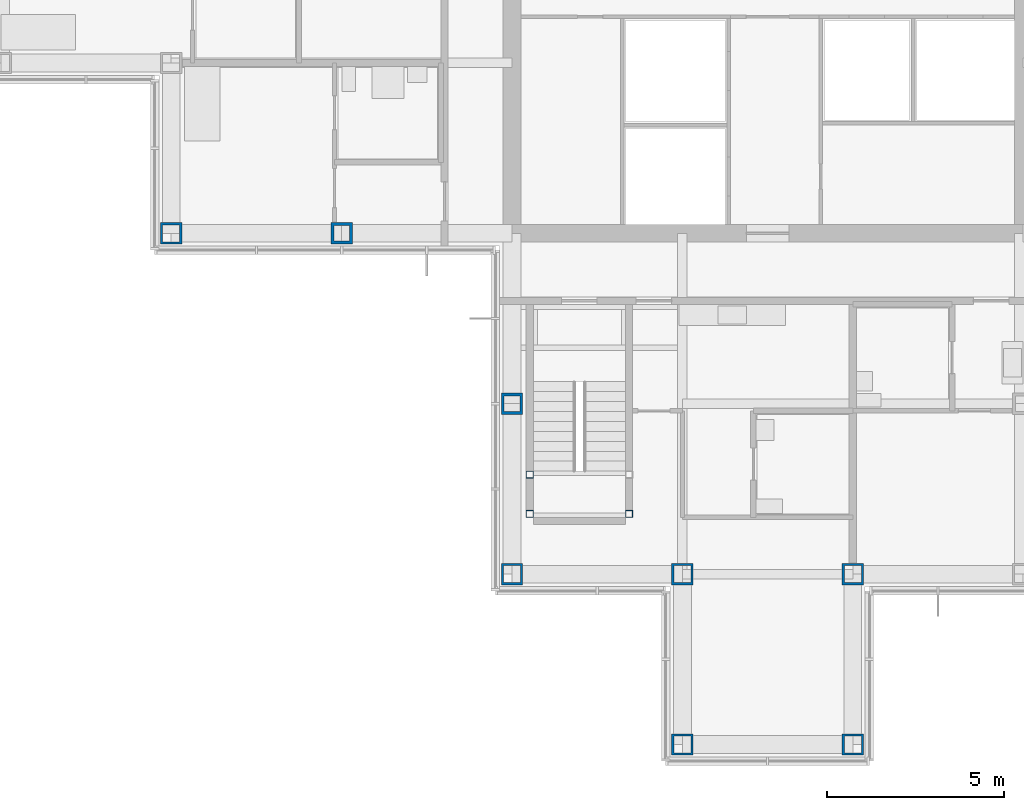
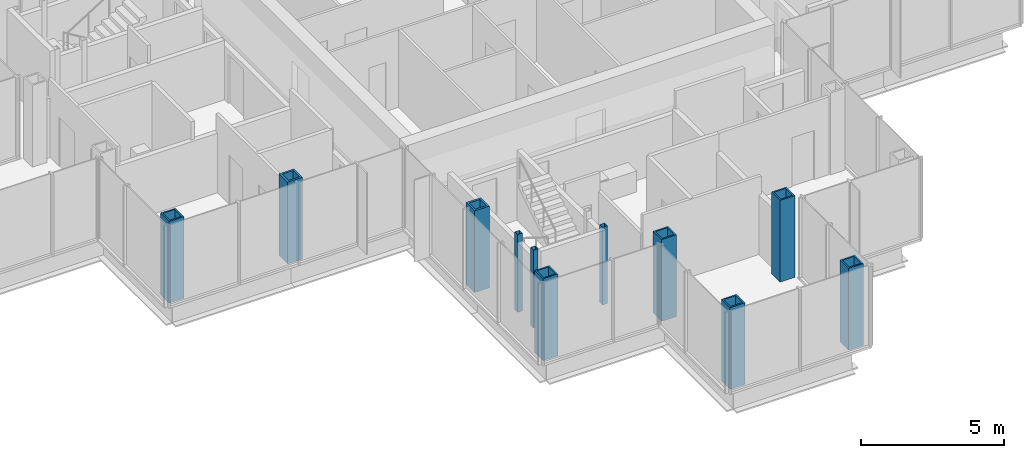
# One storey, part 1 of 17: 11 columns.
"""IFC4 building model written with IfcOpenShell, lengths in metres."""

from ifc_helpers import new_model, si_unit, direction, frame, origin, origin_2d, place, context, subcontext, project, spatial, hollow_rectangle, extrude, material, material_profile, profile_set, type_object, element, save


model = new_model("IFC4")

# Units and contexts
model_context = context("Model", 3, precision=1e-05, world=origin(), true_north=direction((0.0, 1.0)))
body_context = subcontext(model_context, "Body", "Model", "MODEL_VIEW")
ifc_project = project(units=[si_unit("LENGTHUNIT", "METRE"), si_unit("AREAUNIT", "SQUARE_METRE"), si_unit("VOLUMEUNIT", "CUBIC_METRE"), si_unit("PLANEANGLEUNIT", "RADIAN"), si_unit("MASSUNIT", "GRAM", prefix="KILO")], contexts=[model_context])

# Site, building, storey
site_placement = place(None, origin())
site = spatial("IfcSite", under=ifc_project, at=site_placement, CompositionType="ELEMENT")
building_placement = place(site_placement, origin())
building = spatial("IfcBuilding", under=site, at=building_placement, Name="Kvirike Care Tower", CompositionType="ELEMENT")
storey_placement = place(building_placement, frame((0.0, 0.0, 158.5)))
storey = spatial("IfcBuildingStorey", under=building, at=storey_placement, Name="L43", CompositionType="ELEMENT", Elevation=158.5)

# Columns
ifc_material_1 = material(Name="Steel S460", Category="steel")
ifc_material_profile_1 = material_profile(ifc_material_1, hollow_rectangle(XDim=0.60009765625, YDim=0.60009765625, WallThickness=0.06005859375, at=origin_2d()), Name="BX 600x600x60")
ifc_profile_set_1 = profile_set([ifc_material_profile_1], Name="Steel S460")
column_type_1 = type_object("IfcColumnType", Name="COLUMN BX 600x600x60", PredefinedType="COLUMN", material=ifc_profile_set_1)
for number, where, z_axis, x_axis, name in (
    (1, (4.800048828125, 28.800048828125, 0.0), (0.0, 0.0, 1.0), (0.0, 1.0, 0.0), "Column G4 L43"),
    (2, (14.39990234375, 19.199951171875, 0.0), (0.0, 0.0, 1.0), (0.0, 1.0, 0.0), "Column E6 L43"),
    (3, (19.199951171875, 14.39990234375, 0.0), (0.0, 0.0, 1.0), (0.0, 1.0, 0.0), "Column D7 L43"),
    (4, (19.199951171875, 19.199951171875, 0.0), (0.0, 0.0, 1.0), (0.0, 1.0, 0.0), "Column E7 L43"),
    (5, (24.0, 14.39990234375, 0.0), (0.0, 0.0, 1.0), (0.0, 1.0, 0.0), "Column D8 L43"),
    (6, (24.0, 19.199951171875, 0.0), (0.0, 0.0, 1.0), (0.0, 1.0, 0.0), "Column E8 L43"),
):
    element("IfcColumn", number, at=place(storey_placement, frame(where, z_axis=z_axis, x_axis=x_axis)), inside=storey, type_object=column_type_1, Name=name, PredefinedType="COLUMN", context=body_context, shape_type="SweptSolid", body=[
        extrude(hollow_rectangle(XDim=0.60009765625, YDim=0.60009765625, WallThickness=0.06005859375, at=origin_2d()), origin(), (0.0, 0.0, 1.0), 3.5),
    ])
ifc_material_2 = material(Name="Steel S460", Category="steel")
ifc_material_profile_2 = material_profile(ifc_material_2, hollow_rectangle(XDim=0.60009765625, YDim=0.60009765625, WallThickness=0.080078125, at=origin_2d()), Name="BX 600x600x80")
ifc_profile_set_2 = profile_set([ifc_material_profile_2], Name="Steel S460")
column_type_2 = type_object("IfcColumnType", Name="COLUMN BX 600x600x80", PredefinedType="COLUMN", material=ifc_profile_set_2)
for number, where, z_axis, x_axis, name in (
    (7, (9.60009765625, 28.800048828125, 0.0), (0.0, 0.0, 1.0), (0.0, 1.0, 0.0), "Column G5 L43"),
    (8, (14.39990234375, 24.0, 0.0), (0.0, 0.0, 1.0), (1.0, 0.0, 0.0), "Column F6 L43"),
):
    element("IfcColumn", number, at=place(storey_placement, frame(where, z_axis=z_axis, x_axis=x_axis)), inside=storey, type_object=column_type_2, Name=name, PredefinedType="COLUMN", context=body_context, shape_type="SweptSolid", body=[
        extrude(hollow_rectangle(XDim=0.60009765625, YDim=0.60009765625, WallThickness=0.080078125, at=origin_2d()), origin(), (0.0, 0.0, 1.0), 3.5),
    ])
ifc_material_3 = material(Name="Steel S460", Category="steel")
ifc_material_profile_3 = material_profile(ifc_material_3, hollow_rectangle(XDim=0.199951171875, YDim=0.199951171875, WallThickness=0.008056640625, at=origin_2d()), Name="SHS 200x200x8")
ifc_profile_set_3 = profile_set([ifc_material_profile_3], Name="Steel S460")
column_type_3 = type_object("IfcColumnType", Name="STAIR POST SHS 200x200x8", PredefinedType="COLUMN", material=ifc_profile_set_3)
for number, where, z_axis, x_axis, name in (
    (9, (14.89990234375, 20.89990234375, 0.0), (0.0, 0.0, 1.0), (1.0, 0.0, 0.0), "Stair 5 post 1 L43"),
    (10, (17.699951171875, 20.89990234375, 0.0), (0.0, 0.0, 1.0), (1.0, 0.0, 0.0), "Stair 5 post 2 L43"),
    (11, (14.89990234375, 22.0, 0.0), (0.0, 0.0, 1.0), (1.0, 0.0, 0.0), "Stair 5 post 3 L43"),
):
    element("IfcColumn", number, at=place(storey_placement, frame(where, z_axis=z_axis, x_axis=x_axis)), inside=storey, type_object=column_type_3, Name=name, PredefinedType="COLUMN", context=body_context, shape_type="SweptSolid", body=[
        extrude(hollow_rectangle(XDim=0.199951171875, YDim=0.199951171875, WallThickness=0.008056640625, at=origin_2d()), origin(), (0.0, 0.0, 1.0), 3.330078125),
    ])

save(model, "model.ifc")
